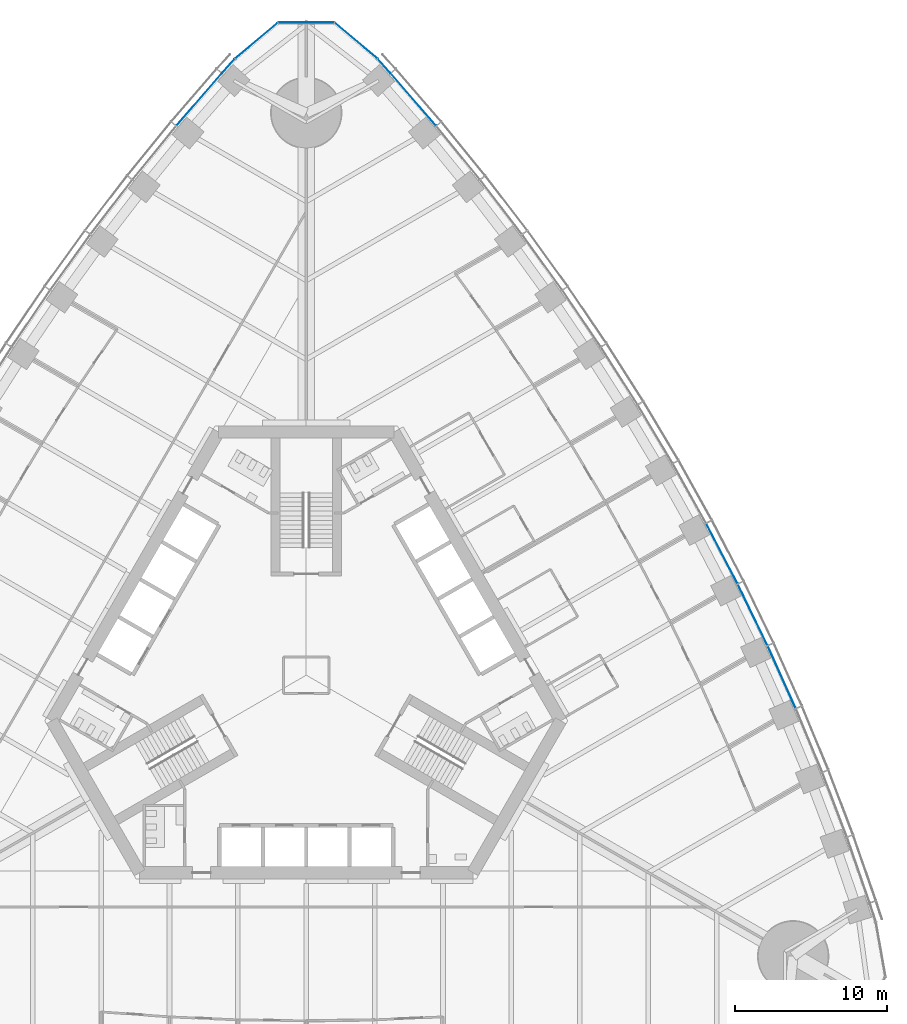
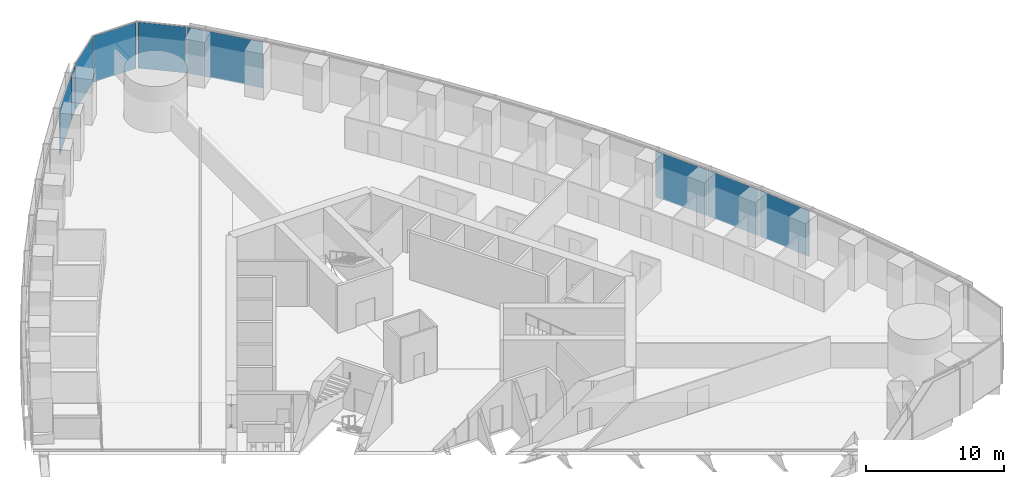
# One storey, part 9 of 18: 10 plates, 3 elements without a shape of their own.
"""IFC4 building model written with IfcOpenShell, lengths in metres."""

import ifcopenshell
import ifcopenshell.guid

model = None  # the IFC model being written
_history = None  # IfcOwnerHistory: only IFC2X3 demands one
_inside = {}  # id of a spatial element -> (the spatial element, [elements in it])
_under = {}  # id of a project, library or spatial element -> (it, [spatial elements below it])
_declared = {}  # id of a project -> (the project, [libraries it declares])
_typed = {}  # id of a type object -> (the type object, [elements of that type])
_made_of = {}  # id of a material, layer set ... -> (it, [elements and type objects made of it])


def new_model(schema):
    """Start an empty IFC model of exactly this schema.

    Asked for "IFC4X3", IfcOpenShell would pick the latest addendum, in which some entities
    have other attributes; the version numbers below select the first issue.
    IFC2X3 requires an IfcOwnerHistory on every rooted entity: one is made here for all.
    """
    global model, _history
    if schema == "IFC4X3":
        model = ifcopenshell.file(schema_version=(4, 3, 0, 0))
    else:
        model = ifcopenshell.file(schema=schema)
    _inside.clear()
    _under.clear()
    _declared.clear()
    _typed.clear()
    _made_of.clear()
    _history = None
    if model.schema == "IFC2X3":
        org = make("IfcOrganization", Name="unknown")
        user = make(
            "IfcPersonAndOrganization",
            ThePerson=make("IfcPerson", FamilyName="unknown"),
            TheOrganization=org,
        )
        app = make(
            "IfcApplication",
            ApplicationDeveloper=org,
            Version="unknown",
            ApplicationFullName="unknown",
            ApplicationIdentifier="unknown",
        )
        _history = make(
            "IfcOwnerHistory",
            OwningUser=user,
            OwningApplication=app,
            ChangeAction="ADDED",
            CreationDate=0,
        )
    return model


def make(cls, **values):
    """One entity of the class cls with the attributes given. An attribute that is None is left unset."""
    return model.create_entity(
        cls, **{name: value for name, value in values.items() if value is not None}
    )


def rooted(cls, **values):
    """An entity with a GlobalId (a new one), such as an element, a storey or a relation."""
    return make(cls, GlobalId=ifcopenshell.guid.new(), OwnerHistory=_history, **values)


def si_unit(unit_type, name, prefix=None):
    """IfcSIUnit, for example si_unit("LENGTHUNIT", "METRE", prefix="MILLI")."""
    return make("IfcSIUnit", UnitType=unit_type, Prefix=prefix, Name=name)


def assignment(units):
    """IfcUnitAssignment: the units of a project."""
    return None if units is None else make("IfcUnitAssignment", Units=units)


def point(xyz):
    """IfcCartesianPoint."""
    return None if xyz is None else make("IfcCartesianPoint", Coordinates=xyz)


def direction(xyz):
    """IfcDirection."""
    return None if xyz is None else make("IfcDirection", DirectionRatios=xyz)


def frame(location, z_axis=None, x_axis=None):
    """IfcAxis2Placement3D, a coordinate frame: its origin and axes. An axis left out is left unset."""
    return make(
        "IfcAxis2Placement3D",
        Location=point(location),
        Axis=direction(z_axis),
        RefDirection=direction(x_axis),
    )


def frame_2d(location, x_axis=None):
    """IfcAxis2Placement2D, a coordinate frame in the plane: its origin and x axis."""
    return make(
        "IfcAxis2Placement2D", Location=point(location), RefDirection=direction(x_axis)
    )


def origin():
    """The frame at (0, 0, 0) with its axes left unset."""
    return frame((0.0, 0.0, 0.0))


def origin_2d():
    """The frame at (0, 0) in the plane with its x axis left unset."""
    return frame_2d((0.0, 0.0))


def place(relative_to, where):
    """IfcLocalPlacement: puts the frame where relative to a parent placement (None: the world)."""
    return make(
        "IfcLocalPlacement", PlacementRelTo=relative_to, RelativePlacement=where
    )


def context(
    kind, dimensions, precision=None, world=None, true_north=None, identifier=None
):
    """IfcGeometricRepresentationContext, for example the 3D "Model" context."""
    return make(
        "IfcGeometricRepresentationContext",
        ContextIdentifier=identifier,
        ContextType=kind,
        CoordinateSpaceDimension=dimensions,
        Precision=precision,
        WorldCoordinateSystem=world,
        TrueNorth=true_north,
    )


def subcontext(parent, identifier, kind, view, scale=None):
    """IfcGeometricRepresentationSubContext, for example "Body" below "Model"."""
    return make(
        "IfcGeometricRepresentationSubContext",
        ContextIdentifier=identifier,
        ContextType=kind,
        ParentContext=parent,
        TargetScale=scale,
        TargetView=view,
    )


def project(units=None, contexts=None):
    """IfcProject with its units and contexts."""
    return rooted(
        "IfcProject",
        Name="project",
        RepresentationContexts=contexts,
        UnitsInContext=assignment(units),
    )


def spatial(cls, under=None, at=None, **own):
    """A site, building, storey or space (cls), placed at a placement, below another one or the project."""
    s = rooted(cls, ObjectPlacement=at, **own)
    if under is not None:
        _under.setdefault(under.id(), (under, []))[1].append(s)
    return s


def profile(cls, at=None, kind="AREA", **sizes):
    """A parametric profile (cls). Its sizes go by their IFC names, for example OverallWidth=200.0."""
    return make(cls, ProfileType=kind, Position=at, **sizes)


def rectangle(**sizes):
    """IfcRectangleProfileDef."""
    return profile("IfcRectangleProfileDef", **sizes)


def extrude(swept, where, along, depth):
    """IfcExtrudedAreaSolid: the profile swept, set in the frame where, extruded along a direction by depth."""
    return make(
        "IfcExtrudedAreaSolid",
        SweptArea=swept,
        Position=where,
        ExtrudedDirection=direction(along),
        Depth=depth,
    )


def shape(context_of_items, identifier, shape_type, items):
    """IfcShapeRepresentation: the items that make up one representation, for example the "Body"."""
    return make(
        "IfcShapeRepresentation",
        ContextOfItems=context_of_items,
        RepresentationIdentifier=identifier,
        RepresentationType=shape_type,
        Items=items,
    )


def material(Name=None, Category=None):
    """IfcMaterial."""
    return make("IfcMaterial", Name=Name, Category=Category)


def layer(
    of_material, thickness, ventilated=None, Name=None, Category=None, Priority=None
):
    """IfcMaterialLayer: one layer of a wall or slab, of a material (None: an air gap)."""
    return make(
        "IfcMaterialLayer",
        Material=of_material,
        LayerThickness=thickness,
        IsVentilated=ventilated,
        Name=Name,
        Category=Category,
        Priority=Priority,
    )


def layer_set(layers, Name=None):
    """IfcMaterialLayerSet."""
    return make("IfcMaterialLayerSet", MaterialLayers=layers, LayerSetName=Name)


def made_of(thing, what):
    """Note that an element or type object is made of a material, layer set ...; save() writes the relation."""
    if what is not None:
        _made_of.setdefault(what.id(), (what, []))[1].append(thing)
    return thing


def type_object(cls, material=None, **own):
    """A type object (cls), such as IfcWallType, which elements share."""
    return made_of(rooted(cls, **own), material)


def element(
    cls,
    number,
    at=None,
    inside=None,
    cuts=None,
    type_object=None,
    material=None,
    context=None,
    identifier="Body",
    shape_type=None,
    held_by="IfcProductDefinitionShape",
    body=None,
    shapes=None,
    **own,
):
    """One element of the class cls, such as IfcWall. Its Tag is "e" and its number.

    at: its placement. inside: the storey or other place that contains it. cuts: it is an
    opening in that element (IfcRelVoidsElement). A single representation is given by context,
    identifier, shape_type and body (its items); several are given by shapes. held_by: the class
    of the entity that holds the representations. save() writes the other relations.
    """
    e = rooted(cls, Tag="e%d" % number, ObjectPlacement=at, **own)
    if body is not None:
        shapes = [shape(context, identifier, shape_type, body)]
    if shapes is not None:
        e.Representation = make(held_by, Representations=shapes)
    if inside is not None:
        _inside.setdefault(inside.id(), (inside, []))[1].append(e)
    if cuts is not None:
        rooted(
            "IfcRelVoidsElement", RelatingBuildingElement=cuts, RelatedOpeningElement=e
        )
    if type_object is not None:
        _typed.setdefault(type_object.id(), (type_object, []))[1].append(e)
    return made_of(e, material)


def aggregate(whole, parts):
    """IfcRelAggregates: a whole, such as a stair, and the parts it consists of."""
    return rooted("IfcRelAggregates", RelatingObject=whole, RelatedObjects=parts)


def save(model, path):
    """Write the relations noted so far, then the file.

    IfcRelAggregates (storeys below a building ...), IfcRelContainedInSpatialStructure (elements
    in a storey), IfcRelDefinesByType, IfcRelAssociatesMaterial and IfcRelDeclares: one each for
    every whole, place, type object, material and project.
    """
    for whole, parts in _under.values():
        aggregate(whole, parts)
    for where, things in _inside.values():
        rooted(
            "IfcRelContainedInSpatialStructure",
            RelatedElements=things,
            RelatingStructure=where,
        )
    for kind, things in _typed.values():
        rooted("IfcRelDefinesByType", RelatedObjects=things, RelatingType=kind)
    for what, things in _made_of.values():
        rooted("IfcRelAssociatesMaterial", RelatedObjects=things, RelatingMaterial=what)
    for by, libraries in _declared.values():
        rooted("IfcRelDeclares", RelatingContext=by, RelatedDefinitions=libraries)
    model.write(path)


model = new_model("IFC4")

# Units and contexts
model_context = context("Model", 3, precision=1e-05, world=origin(), true_north=direction((0.0, 1.0)))
body_context = subcontext(model_context, "Body", "Model", "MODEL_VIEW")
ifc_project = project(units=[si_unit("LENGTHUNIT", "METRE"), si_unit("AREAUNIT", "SQUARE_METRE"), si_unit("VOLUMEUNIT", "CUBIC_METRE"), si_unit("PLANEANGLEUNIT", "RADIAN"), si_unit("MASSUNIT", "GRAM", prefix="KILO")], contexts=[model_context])

# Site, building, storey
site_placement = place(None, origin())
site = spatial("IfcSite", under=ifc_project, at=site_placement, CompositionType="ELEMENT")
building_placement = place(site_placement, origin())
building = spatial("IfcBuilding", under=site, at=building_placement, Name="Trefoil Bronze Tower", CompositionType="ELEMENT")
storey_placement = place(building_placement, frame((0.0, 0.0, 54.300048828125)))
storey = spatial("IfcBuildingStorey", under=building, at=storey_placement, Name="L12", CompositionType="ELEMENT", Elevation=54.300048828125)

# Curtain wall, plates
ifc_material_1 = material(Name="Tinted solar-control glass", Category="glass")
curtain_wall_type_1 = type_object("IfcCurtainWallType", Name="Bronze office curtain wall", PredefinedType="USERDEFINED", material=ifc_material_1)
curtain_wall_1_placement = place(storey_placement, origin())
curtain_wall_1 = element("IfcCurtainWall", 1, at=curtain_wall_1_placement, inside=storey, type_object=curtain_wall_type_1, Name="CW-A L12 F2", ObjectType="CURTAIN WALL", PredefinedType="USERDEFINED")
ifc_material_2 = material(Name="Tinted solar-control glass", Category="glass")
ifc_layer_1 = layer(ifc_material_2, 0.030029296875)
ifc_layer_set_1 = layer_set([ifc_layer_1], Name="Bronze office curtain wall glass panel")
plate_type_1 = type_object("IfcPlateType", Name="Bronze office curtain wall glass panel", PredefinedType="CURTAIN_PANEL", material=ifc_layer_set_1)
plate_1_placement = place(storey_placement, frame((31.28857421875, -0.1337890625, 0.0), z_axis=(0.0, 0.0, 1.0), x_axis=(-0.40945635808, 0.912329705111, 0.0)))
plate_1 = element("IfcPlate", 2, at=plate_1_placement, type_object=plate_type_1, Name="CW-A L12 F2 panel 5", PredefinedType="CURTAIN_PANEL", context=body_context, shape_type="SweptSolid", body=[
    extrude(rectangle(XDim=4.443359375, YDim=0.030029296875, at=origin_2d()), origin(), (0.0, 0.0, 1.0), 4.080078125),
])
plate_2_placement = place(storey_placement, frame((29.3779296875, 3.962646484375, 0.0), z_axis=(0.0, 0.0, 1.0), x_axis=(-0.4358553457, 0.900016731858, 0.0)))
plate_2 = element("IfcPlate", 3, at=plate_2_placement, type_object=plate_type_1, Name="CW-A L12 F2 panel 6", PredefinedType="CURTAIN_PANEL", context=body_context, shape_type="SweptSolid", body=[
    extrude(rectangle(XDim=4.431884765625, YDim=0.030029296875, at=origin_2d()), origin(), (0.0, 0.0, 1.0), 4.080078125),
])
plate_3_placement = place(storey_placement, frame((27.353271484375, 7.9931640625, 0.0), z_axis=(0.0, 0.0, 1.0), x_axis=(-0.46182981834, 0.886968555752, 0.0)))
plate_3 = element("IfcPlate", 4, at=plate_3_placement, type_object=plate_type_1, Name="CW-A L12 F2 panel 7", PredefinedType="CURTAIN_PANEL", context=body_context, shape_type="SweptSolid", body=[
    extrude(rectangle(XDim=4.42431640625, YDim=0.030029296875, at=origin_2d()), origin(), (0.0, 0.0, 1.0), 4.080078125),
])
plate_4_placement = place(storey_placement, frame((7.056396484375, 37.870849609375, 0.0), z_axis=(0.0, 0.0, 1.0), x_axis=(-0.654376090833, 0.756169248083, 0.0)))
plate_4 = element("IfcPlate", 5, at=plate_4_placement, type_object=plate_type_1, Name="CW-A L12 F2 panel 15", PredefinedType="CURTAIN_PANEL", context=body_context, shape_type="SweptSolid", body=[
    extrude(rectangle(XDim=4.502197265625, YDim=0.030029296875, at=origin_2d()), origin(), (0.0, 0.0, 1.0), 4.080078125),
])
plate_5_placement = place(storey_placement, frame((5.12451171875, 40.08447265625, 0.0), z_axis=(0.0, 0.0, 1.0), x_axis=(-0.668575006272, 0.743644714221, 0.0)))
plate_5 = element("IfcPlate", 6, at=plate_5_placement, type_object=plate_type_1, Name="CW-A L12 F2 panel 16", PredefinedType="CURTAIN_PANEL", context=body_context, shape_type="SweptSolid", body=[
    extrude(rectangle(XDim=1.21044921875, YDim=0.030029296875, at=origin_2d()), origin(), (0.0, 0.0, 1.0), 4.080078125),
])
aggregate(curtain_wall_1, [plate_1, plate_2, plate_3, plate_4, plate_5])

curtain_wall_2_placement = place(storey_placement, origin())
curtain_wall_2 = element("IfcCurtainWall", 7, at=curtain_wall_2_placement, inside=storey, type_object=curtain_wall_type_1, Name="CW-A L12 F3", ObjectType="CURTAIN WALL", PredefinedType="USERDEFINED")
plate_6_placement = place(storey_placement, frame((-5.12451171875, 40.08447265625, 0.0), z_axis=(0.0, 0.0, 1.0), x_axis=(-0.668575006272, -0.743644714221, 0.0)))
plate_6 = element("IfcPlate", 8, at=plate_6_placement, type_object=plate_type_1, Name="CW-A L12 F3 panel 1", PredefinedType="CURTAIN_PANEL", context=body_context, shape_type="SweptSolid", body=[
    extrude(rectangle(XDim=1.21044921875, YDim=0.030029296875, at=origin_2d()), origin(), (0.0, 0.0, 1.0), 4.080078125),
])
plate_7_placement = place(storey_placement, frame((-7.056396484375, 37.870849609375, 0.0), z_axis=(0.0, 0.0, 1.0), x_axis=(-0.654376090833, -0.756169248083, 0.0)))
plate_7 = element("IfcPlate", 9, at=plate_7_placement, type_object=plate_type_1, Name="CW-A L12 F3 panel 2", PredefinedType="CURTAIN_PANEL", context=body_context, shape_type="SweptSolid", body=[
    extrude(rectangle(XDim=4.502197265625, YDim=0.030029296875, at=origin_2d()), origin(), (0.0, 0.0, 1.0), 4.080078125),
])
aggregate(curtain_wall_2, [plate_6, plate_7])

ifc_material_3 = material(Name="Tinted solar-control glass", Category="glass")
curtain_wall_type_2 = type_object("IfcCurtainWallType", Name="Bronze rounded corner curtain wall", PredefinedType="USERDEFINED", material=ifc_material_3)
curtain_wall_3_placement = place(storey_placement, origin())
curtain_wall_3 = element("IfcCurtainWall", 10, at=curtain_wall_3_placement, inside=storey, type_object=curtain_wall_type_2, Name="CW-B L12 K2", ObjectType="CURTAIN WALL", PredefinedType="USERDEFINED")
ifc_material_4 = material(Name="Tinted solar-control glass", Category="glass")
ifc_layer_2 = layer(ifc_material_4, 0.030029296875)
ifc_layer_set_2 = layer_set([ifc_layer_2], Name="Bronze rounded corner curtain wall glass panel")
plate_type_2 = type_object("IfcPlateType", Name="Bronze rounded corner curtain wall glass panel", PredefinedType="CURTAIN_PANEL", material=ifc_layer_set_2)
plate_8_placement = place(storey_placement, frame((3.28564453125, 41.74658203125, 0.0), z_axis=(0.0, 0.0, 1.0), x_axis=(-0.766044443119, 0.642787609687, 0.0)))
plate_8 = element("IfcPlate", 11, at=plate_8_placement, type_object=plate_type_2, Name="CW-B L12 K2 panel 1", PredefinedType="CURTAIN_PANEL", context=body_context, shape_type="SweptSolid", body=[
    extrude(rectangle(XDim=3.588134765625, YDim=0.030029296875, at=origin_2d()), origin(), (0.0, 0.0, 1.0), 4.080078125),
])
plate_9_placement = place(storey_placement, frame((0.0, 42.9423828125, 0.0), z_axis=(0.0, 0.0, 1.0), x_axis=(-1.0, 0.0, 0.0)))
plate_9 = element("IfcPlate", 12, at=plate_9_placement, type_object=plate_type_2, Name="CW-B L12 K2 panel 2", PredefinedType="CURTAIN_PANEL", context=body_context, shape_type="SweptSolid", body=[
    extrude(rectangle(XDim=3.588134765625, YDim=0.030029296875, at=origin_2d()), origin(), (0.0, 0.0, 1.0), 4.080078125),
])
plate_10_placement = place(storey_placement, frame((-3.28564453125, 41.74658203125, 0.0), z_axis=(0.0, 0.0, 1.0), x_axis=(-0.766044443119, -0.642787609687, 0.0)))
plate_10 = element("IfcPlate", 13, at=plate_10_placement, type_object=plate_type_2, Name="CW-B L12 K2 panel 3", PredefinedType="CURTAIN_PANEL", context=body_context, shape_type="SweptSolid", body=[
    extrude(rectangle(XDim=3.588134765625, YDim=0.030029296875, at=origin_2d()), origin(), (0.0, 0.0, 1.0), 4.080078125),
])
aggregate(curtain_wall_3, [plate_8, plate_9, plate_10])

save(model, "model.ifc")
